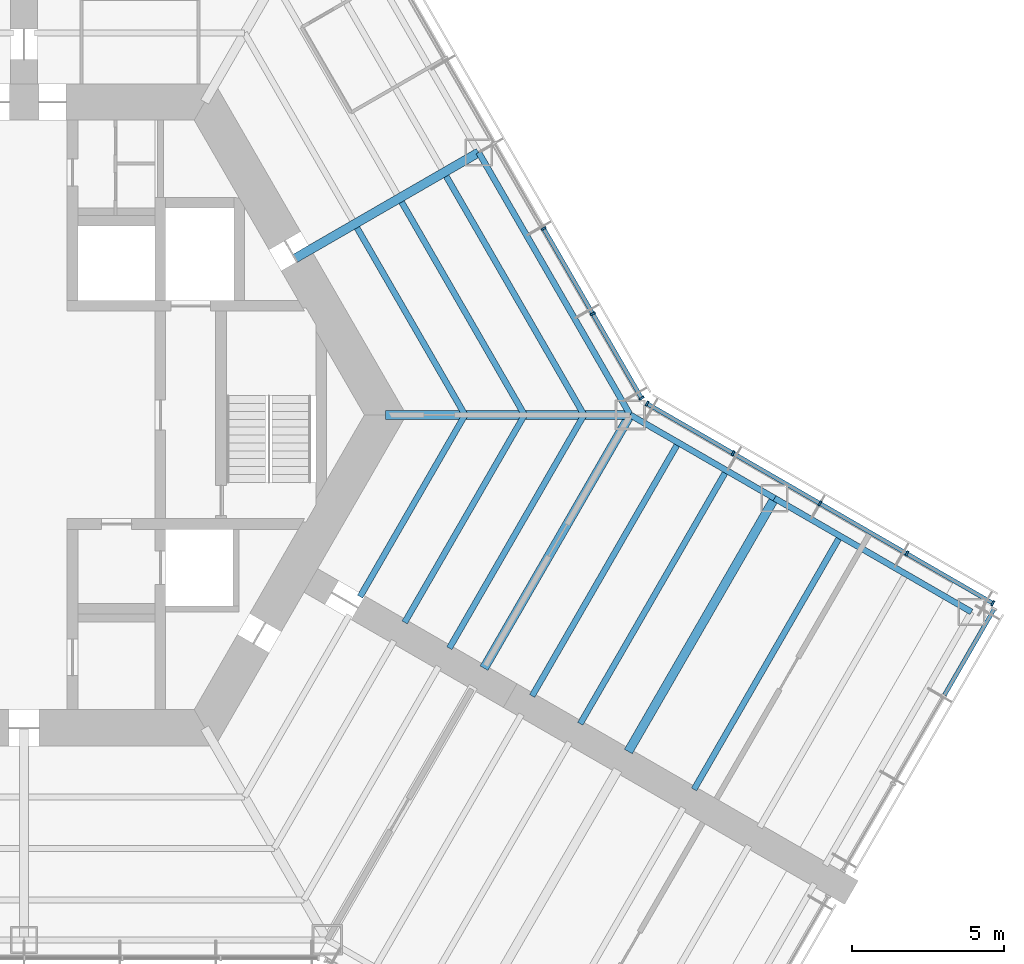
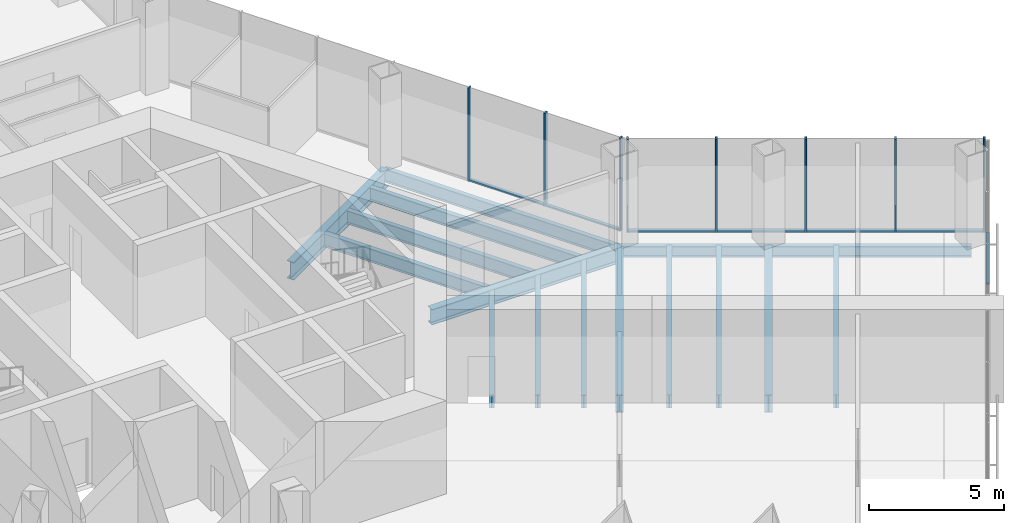
# One storey, part 5 of 16: 16 beams, 15 members, 3 elements without a shape of their own.
"""IFC4 building model written with IfcOpenShell, lengths in metres."""

import ifcopenshell
import ifcopenshell.guid

model = None  # the IFC model being written
_history = None  # IfcOwnerHistory: only IFC2X3 demands one
_inside = {}  # id of a spatial element -> (the spatial element, [elements in it])
_under = {}  # id of a project, library or spatial element -> (it, [spatial elements below it])
_declared = {}  # id of a project -> (the project, [libraries it declares])
_typed = {}  # id of a type object -> (the type object, [elements of that type])
_made_of = {}  # id of a material, layer set ... -> (it, [elements and type objects made of it])


def new_model(schema):
    """Start an empty IFC model of exactly this schema.

    Asked for "IFC4X3", IfcOpenShell would pick the latest addendum, in which some entities
    have other attributes; the version numbers below select the first issue.
    IFC2X3 requires an IfcOwnerHistory on every rooted entity: one is made here for all.
    """
    global model, _history
    if schema == "IFC4X3":
        model = ifcopenshell.file(schema_version=(4, 3, 0, 0))
    else:
        model = ifcopenshell.file(schema=schema)
    _inside.clear()
    _under.clear()
    _declared.clear()
    _typed.clear()
    _made_of.clear()
    _history = None
    if model.schema == "IFC2X3":
        org = make("IfcOrganization", Name="unknown")
        user = make(
            "IfcPersonAndOrganization",
            ThePerson=make("IfcPerson", FamilyName="unknown"),
            TheOrganization=org,
        )
        app = make(
            "IfcApplication",
            ApplicationDeveloper=org,
            Version="unknown",
            ApplicationFullName="unknown",
            ApplicationIdentifier="unknown",
        )
        _history = make(
            "IfcOwnerHistory",
            OwningUser=user,
            OwningApplication=app,
            ChangeAction="ADDED",
            CreationDate=0,
        )
    return model


def make(cls, **values):
    """One entity of the class cls with the attributes given. An attribute that is None is left unset."""
    return model.create_entity(
        cls, **{name: value for name, value in values.items() if value is not None}
    )


def rooted(cls, **values):
    """An entity with a GlobalId (a new one), such as an element, a storey or a relation."""
    return make(cls, GlobalId=ifcopenshell.guid.new(), OwnerHistory=_history, **values)


def si_unit(unit_type, name, prefix=None):
    """IfcSIUnit, for example si_unit("LENGTHUNIT", "METRE", prefix="MILLI")."""
    return make("IfcSIUnit", UnitType=unit_type, Prefix=prefix, Name=name)


def assignment(units):
    """IfcUnitAssignment: the units of a project."""
    return None if units is None else make("IfcUnitAssignment", Units=units)


def point(xyz):
    """IfcCartesianPoint."""
    return None if xyz is None else make("IfcCartesianPoint", Coordinates=xyz)


def direction(xyz):
    """IfcDirection."""
    return None if xyz is None else make("IfcDirection", DirectionRatios=xyz)


def frame(location, z_axis=None, x_axis=None):
    """IfcAxis2Placement3D, a coordinate frame: its origin and axes. An axis left out is left unset."""
    return make(
        "IfcAxis2Placement3D",
        Location=point(location),
        Axis=direction(z_axis),
        RefDirection=direction(x_axis),
    )


def frame_2d(location, x_axis=None):
    """IfcAxis2Placement2D, a coordinate frame in the plane: its origin and x axis."""
    return make(
        "IfcAxis2Placement2D", Location=point(location), RefDirection=direction(x_axis)
    )


def origin():
    """The frame at (0, 0, 0) with its axes left unset."""
    return frame((0.0, 0.0, 0.0))


def origin_2d():
    """The frame at (0, 0) in the plane with its x axis left unset."""
    return frame_2d((0.0, 0.0))


def place(relative_to, where):
    """IfcLocalPlacement: puts the frame where relative to a parent placement (None: the world)."""
    return make(
        "IfcLocalPlacement", PlacementRelTo=relative_to, RelativePlacement=where
    )


def context(
    kind, dimensions, precision=None, world=None, true_north=None, identifier=None
):
    """IfcGeometricRepresentationContext, for example the 3D "Model" context."""
    return make(
        "IfcGeometricRepresentationContext",
        ContextIdentifier=identifier,
        ContextType=kind,
        CoordinateSpaceDimension=dimensions,
        Precision=precision,
        WorldCoordinateSystem=world,
        TrueNorth=true_north,
    )


def subcontext(parent, identifier, kind, view, scale=None):
    """IfcGeometricRepresentationSubContext, for example "Body" below "Model"."""
    return make(
        "IfcGeometricRepresentationSubContext",
        ContextIdentifier=identifier,
        ContextType=kind,
        ParentContext=parent,
        TargetScale=scale,
        TargetView=view,
    )


def project(units=None, contexts=None):
    """IfcProject with its units and contexts."""
    return rooted(
        "IfcProject",
        Name="project",
        RepresentationContexts=contexts,
        UnitsInContext=assignment(units),
    )


def spatial(cls, under=None, at=None, **own):
    """A site, building, storey or space (cls), placed at a placement, below another one or the project."""
    s = rooted(cls, ObjectPlacement=at, **own)
    if under is not None:
        _under.setdefault(under.id(), (under, []))[1].append(s)
    return s


def profile(cls, at=None, kind="AREA", **sizes):
    """A parametric profile (cls). Its sizes go by their IFC names, for example OverallWidth=200.0."""
    return make(cls, ProfileType=kind, Position=at, **sizes)


def rectangle(**sizes):
    """IfcRectangleProfileDef."""
    return profile("IfcRectangleProfileDef", **sizes)


def i_section(**sizes):
    """IfcIShapeProfileDef."""
    return profile("IfcIShapeProfileDef", **sizes)


def extrude(swept, where, along, depth):
    """IfcExtrudedAreaSolid: the profile swept, set in the frame where, extruded along a direction by depth."""
    return make(
        "IfcExtrudedAreaSolid",
        SweptArea=swept,
        Position=where,
        ExtrudedDirection=direction(along),
        Depth=depth,
    )


def shape(context_of_items, identifier, shape_type, items):
    """IfcShapeRepresentation: the items that make up one representation, for example the "Body"."""
    return make(
        "IfcShapeRepresentation",
        ContextOfItems=context_of_items,
        RepresentationIdentifier=identifier,
        RepresentationType=shape_type,
        Items=items,
    )


def material(Name=None, Category=None):
    """IfcMaterial."""
    return make("IfcMaterial", Name=Name, Category=Category)


def material_profile(
    of_material, cross_section, Name=None, Category=None, Priority=None
):
    """IfcMaterialProfile: a cross section and its material."""
    return make(
        "IfcMaterialProfile",
        Name=Name,
        Material=of_material,
        Profile=cross_section,
        Priority=Priority,
        Category=Category,
    )


def profile_set(profiles, Name=None, composite=None):
    """IfcMaterialProfileSet."""
    return make(
        "IfcMaterialProfileSet",
        Name=Name,
        MaterialProfiles=profiles,
        CompositeProfile=composite,
    )


def made_of(thing, what):
    """Note that an element or type object is made of a material, layer set ...; save() writes the relation."""
    if what is not None:
        _made_of.setdefault(what.id(), (what, []))[1].append(thing)
    return thing


def type_object(cls, material=None, **own):
    """A type object (cls), such as IfcWallType, which elements share."""
    return made_of(rooted(cls, **own), material)


def element(
    cls,
    number,
    at=None,
    inside=None,
    cuts=None,
    type_object=None,
    material=None,
    context=None,
    identifier="Body",
    shape_type=None,
    held_by="IfcProductDefinitionShape",
    body=None,
    shapes=None,
    **own,
):
    """One element of the class cls, such as IfcWall. Its Tag is "e" and its number.

    at: its placement. inside: the storey or other place that contains it. cuts: it is an
    opening in that element (IfcRelVoidsElement). A single representation is given by context,
    identifier, shape_type and body (its items); several are given by shapes. held_by: the class
    of the entity that holds the representations. save() writes the other relations.
    """
    e = rooted(cls, Tag="e%d" % number, ObjectPlacement=at, **own)
    if body is not None:
        shapes = [shape(context, identifier, shape_type, body)]
    if shapes is not None:
        e.Representation = make(held_by, Representations=shapes)
    if inside is not None:
        _inside.setdefault(inside.id(), (inside, []))[1].append(e)
    if cuts is not None:
        rooted(
            "IfcRelVoidsElement", RelatingBuildingElement=cuts, RelatedOpeningElement=e
        )
    if type_object is not None:
        _typed.setdefault(type_object.id(), (type_object, []))[1].append(e)
    return made_of(e, material)


def aggregate(whole, parts):
    """IfcRelAggregates: a whole, such as a stair, and the parts it consists of."""
    return rooted("IfcRelAggregates", RelatingObject=whole, RelatedObjects=parts)


def save(model, path):
    """Write the relations noted so far, then the file.

    IfcRelAggregates (storeys below a building ...), IfcRelContainedInSpatialStructure (elements
    in a storey), IfcRelDefinesByType, IfcRelAssociatesMaterial and IfcRelDeclares: one each for
    every whole, place, type object, material and project.
    """
    for whole, parts in _under.values():
        aggregate(whole, parts)
    for where, things in _inside.values():
        rooted(
            "IfcRelContainedInSpatialStructure",
            RelatedElements=things,
            RelatingStructure=where,
        )
    for kind, things in _typed.values():
        rooted("IfcRelDefinesByType", RelatedObjects=things, RelatingType=kind)
    for what, things in _made_of.values():
        rooted("IfcRelAssociatesMaterial", RelatedObjects=things, RelatingMaterial=what)
    for by, libraries in _declared.values():
        rooted("IfcRelDeclares", RelatingContext=by, RelatedDefinitions=libraries)
    model.write(path)


model = new_model("IFC4")

# Units and contexts
model_context = context("Model", 3, precision=1e-05, world=origin(), true_north=direction((0.0, 1.0)))
body_context = subcontext(model_context, "Body", "Model", "MODEL_VIEW")
ifc_project = project(units=[si_unit("LENGTHUNIT", "METRE"), si_unit("AREAUNIT", "SQUARE_METRE"), si_unit("VOLUMEUNIT", "CUBIC_METRE"), si_unit("PLANEANGLEUNIT", "RADIAN"), si_unit("MASSUNIT", "GRAM", prefix="KILO")], contexts=[model_context])

# Site, building, storey
site_placement = place(None, origin())
site = spatial("IfcSite", under=ifc_project, at=site_placement, CompositionType="ELEMENT")
building_placement = place(site_placement, origin())
building = spatial("IfcBuilding", under=site, at=building_placement, Name="Kasaneha Research Tower", CompositionType="ELEMENT")
storey_placement = place(building_placement, frame((0.0, 0.0, 18.39990234375)))
storey = spatial("IfcBuildingStorey", under=building, at=storey_placement, Name="L05", CompositionType="ELEMENT", Elevation=18.39990234375)

# Beams
ifc_material_1 = material(Name="Steel SN490B", Category="steel")
ifc_material_profile_1 = material_profile(ifc_material_1, i_section(OverallWidth=0.199951171875, OverallDepth=0.60009765625, WebThickness=0.010986328125, FlangeThickness=0.01708984375, FilletRadius=0.012939453125, at=origin_2d()), Name="H-600x200x11x17")
ifc_profile_set_1 = profile_set([ifc_material_profile_1], Name="Steel SN490B")
beam_type_1 = type_object("IfcBeamType", Name="B1-1 secondary beam H-600x200x11x17", PredefinedType="JOIST", material=ifc_profile_set_1)
beam_1_placement = place(storey_placement, frame((14.54931640625, 0.0, -0.5), z_axis=(-0.500016104636, 0.866016105569, 0.0), x_axis=(-0.866016105569, -0.500016104636, 0.0)))
element("IfcBeam", 1, at=beam_1_placement, inside=storey, type_object=beam_type_1, Name="Secondary beam RS030L1 L05", PredefinedType="JOIST", context=body_context, shape_type="SweptSolid", body=[
    extrude(i_section(OverallWidth=0.199951171875, OverallDepth=0.60009765625, WebThickness=0.010986328125, FlangeThickness=0.01708984375, FilletRadius=0.012939453125, at=origin_2d()), origin(), (0.0, 0.0, 1.0), 7.124755859375),
])
beam_2_placement = place(storey_placement, frame((16.51220703125, 0.0, -0.5), z_axis=(-0.49999707157, 0.866027094508, 0.0), x_axis=(-0.866027094508, -0.49999707157, 0.0)))
element("IfcBeam", 2, at=beam_2_placement, inside=storey, type_object=beam_type_1, Name="Secondary beam RS030L2 L05", PredefinedType="JOIST", context=body_context, shape_type="SweptSolid", body=[
    extrude(i_section(OverallWidth=0.199951171875, OverallDepth=0.60009765625, WebThickness=0.010986328125, FlangeThickness=0.01708984375, FilletRadius=0.012939453125, at=origin_2d()), origin(), (0.0, 0.0, 1.0), 8.10595703125),
])
beam_3_placement = place(storey_placement, frame((18.47509765625, 0.0, -0.5), z_axis=(-0.499990665392, 0.866030793056, 0.0), x_axis=(-0.866030793056, -0.499990665392, 0.0)))
element("IfcBeam", 3, at=beam_3_placement, inside=storey, type_object=beam_type_1, Name="Secondary beam RS030L3 L05", PredefinedType="JOIST", context=body_context, shape_type="SweptSolid", body=[
    extrude(i_section(OverallWidth=0.199951171875, OverallDepth=0.60009765625, WebThickness=0.010986328125, FlangeThickness=0.01708984375, FilletRadius=0.012939453125, at=origin_2d()), origin(), (0.0, 0.0, 1.0), 9.087646484375),
])
beam_4_placement = place(storey_placement, frame((14.54931640625, 0.0, -0.5), z_axis=(-0.500014420154, -0.866017078145, 0.0), x_axis=(0.866017078145, -0.500014420154, 0.0)))
element("IfcBeam", 4, at=beam_4_placement, inside=storey, type_object=beam_type_1, Name="Secondary beam RS330R1 L05", PredefinedType="JOIST", context=body_context, shape_type="SweptSolid", body=[
    extrude(i_section(OverallWidth=0.199951171875, OverallDepth=0.60009765625, WebThickness=0.010986328125, FlangeThickness=0.01708984375, FilletRadius=0.012939453125, at=origin_2d()), origin(), (0.0, 0.0, 1.0), 6.924560546875),
])
beam_5_placement = place(storey_placement, frame((16.51220703125, 0.0, -0.5), z_axis=(-0.500004902938, -0.866022573054, 0.0), x_axis=(0.866022573054, -0.500004902938, 0.0)))
element("IfcBeam", 5, at=beam_5_placement, inside=storey, type_object=beam_type_1, Name="Secondary beam RS330R2 L05", PredefinedType="JOIST", context=body_context, shape_type="SweptSolid", body=[
    extrude(i_section(OverallWidth=0.199951171875, OverallDepth=0.60009765625, WebThickness=0.010986328125, FlangeThickness=0.01708984375, FilletRadius=0.012939453125, at=origin_2d()), origin(), (0.0, 0.0, 1.0), 7.90625),
])
beam_6_placement = place(storey_placement, frame((18.47509765625, 0.0, -0.5), z_axis=(-0.499988779951, -0.866031881586, 0.0), x_axis=(0.866031881586, -0.499988779951, 0.0)))
element("IfcBeam", 6, at=beam_6_placement, inside=storey, type_object=beam_type_1, Name="Secondary beam RS330R3 L05", PredefinedType="JOIST", context=body_context, shape_type="SweptSolid", body=[
    extrude(i_section(OverallWidth=0.199951171875, OverallDepth=0.60009765625, WebThickness=0.010986328125, FlangeThickness=0.01708984375, FilletRadius=0.012939453125, at=origin_2d()), origin(), (0.0, 0.0, 1.0), 8.887451171875),
])
ifc_material_2 = material(Name="Steel SN490B", Category="steel")
ifc_material_profile_2 = material_profile(ifc_material_2, i_section(OverallWidth=0.198974609375, OverallDepth=0.595947265625, WebThickness=0.010009765625, FlangeThickness=0.014892578125, FilletRadius=0.012939453125, at=origin_2d()), Name="H-596x199x10x15")
ifc_profile_set_2 = profile_set([ifc_material_profile_2], Name="Steel SN490B")
beam_type_2 = type_object("IfcBeamType", Name="B2-1 secondary beam H-596x199x10x15", PredefinedType="JOIST", material=ifc_profile_set_2)
beam_7_placement = place(storey_placement, frame((21.587646484375, -0.916748046875, -0.497802734375), z_axis=(-0.499994742786, -0.866028439017, 0.0), x_axis=(0.866028439017, -0.499994742786, 0.0)))
element("IfcBeam", 7, at=beam_7_placement, inside=storey, type_object=beam_type_2, Name="Secondary beam WBCN1 L05", PredefinedType="JOIST", context=body_context, shape_type="SweptSolid", body=[
    extrude(i_section(OverallWidth=0.198974609375, OverallDepth=0.595947265625, WebThickness=0.010009765625, FlangeThickness=0.014892578125, FilletRadius=0.012939453125, at=origin_2d()), origin(), (0.0, 0.0, 1.0), 9.64990234375),
])
beam_8_placement = place(storey_placement, frame((23.175537109375, -1.833251953125, -0.497802734375), z_axis=(-0.500013717211, -0.866017484004, 0.0), x_axis=(0.866017484004, -0.500013717211, 0.0)))
element("IfcBeam", 8, at=beam_8_placement, inside=storey, type_object=beam_type_2, Name="Secondary beam WBCN2 L05", PredefinedType="JOIST", context=body_context, shape_type="SweptSolid", body=[
    extrude(i_section(OverallWidth=0.198974609375, OverallDepth=0.595947265625, WebThickness=0.010009765625, FlangeThickness=0.014892578125, FilletRadius=0.012939453125, at=origin_2d()), origin(), (0.0, 0.0, 1.0), 9.650146484375),
])
beam_9_placement = place(storey_placement, frame((26.92822265625, -4.0, -0.497802734375), z_axis=(-0.499994742786, -0.866028439017, 0.0), x_axis=(0.866028439017, -0.499994742786, 0.0)))
element("IfcBeam", 9, at=beam_9_placement, inside=storey, type_object=beam_type_2, Name="Secondary beam WBCN3 L05", PredefinedType="JOIST", context=body_context, shape_type="SweptSolid", body=[
    extrude(i_section(OverallWidth=0.198974609375, OverallDepth=0.595947265625, WebThickness=0.010009765625, FlangeThickness=0.014892578125, FilletRadius=0.012939453125, at=origin_2d()), origin(), (0.0, 0.0, 1.0), 9.64990234375),
])

# Curtain wall, members
ifc_material_3 = material(Name="Glass and aluminium", Category="aluminium")
curtain_wall_type = type_object("IfcCurtainWallType", Name="Wet laboratory curtain wall", PredefinedType="USERDEFINED", material=ifc_material_3)
curtain_wall_1_placement = place(storey_placement, origin())
curtain_wall_1 = element("IfcCurtainWall", 10, at=curtain_wall_1_placement, inside=storey, type_object=curtain_wall_type, Name="CW-L1 L05 run 06a", ObjectType="UNITISED CURTAIN WALL", PredefinedType="USERDEFINED")
ifc_material_4 = material(Name="Aluminium 6063-T6", Category="aluminium")
ifc_material_profile_3 = material_profile(ifc_material_4, rectangle(XDim=0.06494140625, YDim=0.179931640625, at=origin_2d()), Name="CW-L1 mullion 65x180")
ifc_profile_set_3 = profile_set([ifc_material_profile_3], Name="Aluminium 6063-T6")
member_type_1 = type_object("IfcMemberType", Name="CW-L1 mullion", PredefinedType="MULLION", material=ifc_profile_set_3)
member_1_placement = place(storey_placement, frame((31.963134765625, -6.214111328125, 0.0), z_axis=(0.0, 0.0, 1.0), x_axis=(-0.866025411464, 0.499999986699, 0.0)))
member_1 = element("IfcMember", 11, at=member_1_placement, type_object=member_type_1, Name="CW-L1 mullion 1", PredefinedType="MULLION", context=body_context, shape_type="SweptSolid", body=[
    extrude(rectangle(XDim=0.06494140625, YDim=0.179931640625, at=origin_2d()), origin(), (0.0, 0.0, 1.0), 4.2001953125),
])
member_2_placement = place(storey_placement, frame((29.125, -4.575439453125, 0.0), z_axis=(0.0, 0.0, 1.0), x_axis=(-0.866025411464, 0.499999986699, 0.0)))
member_2 = element("IfcMember", 12, at=member_2_placement, type_object=member_type_1, Name="CW-L1 mullion 2", PredefinedType="MULLION", context=body_context, shape_type="SweptSolid", body=[
    extrude(rectangle(XDim=0.06494140625, YDim=0.179931640625, at=origin_2d()), origin(), (0.0, 0.0, 1.0), 4.2001953125),
])
member_3_placement = place(storey_placement, frame((26.258544921875, -2.920654296875, 0.0), z_axis=(0.0, 0.0, 1.0), x_axis=(-0.866025411464, 0.499999986699, 0.0)))
member_3 = element("IfcMember", 13, at=member_3_placement, type_object=member_type_1, Name="CW-L1 mullion 3", PredefinedType="MULLION", context=body_context, shape_type="SweptSolid", body=[
    extrude(rectangle(XDim=0.06494140625, YDim=0.179931640625, at=origin_2d()), origin(), (0.0, 0.0, 1.0), 4.2001953125),
])
member_4_placement = place(storey_placement, frame((23.39208984375, -1.265625, 0.0), z_axis=(0.0, 0.0, 1.0), x_axis=(-0.866025411464, 0.499999986699, 0.0)))
member_4 = element("IfcMember", 14, at=member_4_placement, type_object=member_type_1, Name="CW-L1 mullion 4", PredefinedType="MULLION", context=body_context, shape_type="SweptSolid", body=[
    extrude(rectangle(XDim=0.06494140625, YDim=0.179931640625, at=origin_2d()), origin(), (0.0, 0.0, 1.0), 4.2001953125),
])
member_5_placement = place(storey_placement, frame((20.553955078125, 0.373046875, 0.0), z_axis=(0.0, 0.0, 1.0), x_axis=(-0.866025411464, 0.499999986699, 0.0)))
member_5 = element("IfcMember", 15, at=member_5_placement, type_object=member_type_1, Name="CW-L1 mullion 5", PredefinedType="MULLION", context=body_context, shape_type="SweptSolid", body=[
    extrude(rectangle(XDim=0.06494140625, YDim=0.179931640625, at=origin_2d()), origin(), (0.0, 0.0, 1.0), 4.2001953125),
])

curtain_wall_2_placement = place(storey_placement, origin())
curtain_wall_2 = element("IfcCurtainWall", 16, at=curtain_wall_2_placement, inside=storey, type_object=curtain_wall_type, Name="CW-L1 L05 run 07a", ObjectType="UNITISED CURTAIN WALL", PredefinedType="USERDEFINED")
member_6_placement = place(storey_placement, frame((20.373046875, 0.553955078125, 0.0), z_axis=(0.0, 0.0, 1.0), x_axis=(-0.49999996188, 0.866025425793, 0.0)))
member_6 = element("IfcMember", 17, at=member_6_placement, type_object=member_type_1, Name="CW-L1 mullion 1", PredefinedType="MULLION", context=body_context, shape_type="SweptSolid", body=[
    extrude(rectangle(XDim=0.06494140625, YDim=0.179931640625, at=origin_2d()), origin(), (0.0, 0.0, 1.0), 4.2001953125),
])
member_7_placement = place(storey_placement, frame((18.76611328125, 3.33740234375, 0.0), z_axis=(0.0, 0.0, 1.0), x_axis=(-0.49999996188, 0.866025425793, 0.0)))
member_7 = element("IfcMember", 18, at=member_7_placement, type_object=member_type_1, Name="CW-L1 mullion 2", PredefinedType="MULLION", context=body_context, shape_type="SweptSolid", body=[
    extrude(rectangle(XDim=0.06494140625, YDim=0.179931640625, at=origin_2d()), origin(), (0.0, 0.0, 1.0), 4.2001953125),
])
member_8_placement = place(storey_placement, frame((17.142822265625, 6.148681640625, 0.0), z_axis=(0.0, 0.0, 1.0), x_axis=(-0.49999996188, 0.866025425793, 0.0)))
member_8 = element("IfcMember", 19, at=member_8_placement, type_object=member_type_1, Name="CW-L1 mullion 3", PredefinedType="MULLION", context=body_context, shape_type="SweptSolid", body=[
    extrude(rectangle(XDim=0.06494140625, YDim=0.179931640625, at=origin_2d()), origin(), (0.0, 0.0, 1.0), 4.2001953125),
])

# Curtain wall, member
curtain_wall_3_placement = place(storey_placement, origin())
curtain_wall_3 = element("IfcCurtainWall", 20, at=curtain_wall_3_placement, inside=storey, type_object=curtain_wall_type, Name="CW-L1 L05 run 05a", ObjectType="UNITISED CURTAIN WALL", PredefinedType="USERDEFINED")
ifc_material_5 = material(Name="Aluminium 6063-T6", Category="aluminium")
ifc_material_profile_4 = material_profile(ifc_material_5, rectangle(XDim=0.139892578125, YDim=0.06494140625, at=origin_2d()), Name="CW-L1 transom 140x65")
ifc_profile_set_4 = profile_set([ifc_material_profile_4], Name="Aluminium 6063-T6")
member_type_2 = type_object("IfcMemberType", Name="CW-L1 transom", PredefinedType="USERDEFINED", material=ifc_profile_set_4)
member_9_placement = place(storey_placement, frame((30.369140625, -9.239990234375, 0.03271484375), z_axis=(0.500006189695, 0.866021830133, 0.0), x_axis=(-0.866021830133, 0.500006189695, 0.0)))
member_9 = element("IfcMember", 21, at=member_9_placement, type_object=member_type_2, Name="CW-L1 transom 3", ObjectType="TRANSOM", PredefinedType="USERDEFINED", context=body_context, shape_type="SweptSolid", body=[
    extrude(rectangle(XDim=0.139892578125, YDim=0.06494140625, at=origin_2d()), origin(), (0.0, 0.0, 1.0), 3.25244140625),
])
aggregate(curtain_wall_3, [member_9])

# Member
member_10_placement = place(storey_placement, frame((31.93505859375, -6.197998046875, 0.03271484375), z_axis=(-0.866022320763, 0.500005339912, 0.0), x_axis=(-0.500005339912, -0.866022320763, 0.0)))
member_10 = element("IfcMember", 22, at=member_10_placement, type_object=member_type_2, Name="CW-L1 transom 1", ObjectType="TRANSOM", PredefinedType="USERDEFINED", context=body_context, shape_type="SweptSolid", body=[
    extrude(rectangle(XDim=0.139892578125, YDim=0.06494140625, at=origin_2d()), origin(), (0.0, 0.0, 1.0), 3.21240234375),
])

member_11_placement = place(storey_placement, frame((29.096923828125, -4.559326171875, 0.03271484375), z_axis=(-0.866021460221, 0.500006830391, 0.0), x_axis=(-0.500006830391, -0.866021460221, 0.0)))
member_11 = element("IfcMember", 23, at=member_11_placement, type_object=member_type_2, Name="CW-L1 transom 2", ObjectType="TRANSOM", PredefinedType="USERDEFINED", context=body_context, shape_type="SweptSolid", body=[
    extrude(rectangle(XDim=0.139892578125, YDim=0.06494140625, at=origin_2d()), origin(), (0.0, 0.0, 1.0), 3.2451171875),
])

member_12_placement = place(storey_placement, frame((26.23046875, -2.904296875, 0.03271484375), z_axis=(-0.866035229914, 0.499982980259, 0.0), x_axis=(-0.499982980259, -0.866035229914, 0.0)))
member_12 = element("IfcMember", 24, at=member_12_placement, type_object=member_type_2, Name="CW-L1 transom 3", ObjectType="TRANSOM", PredefinedType="USERDEFINED", context=body_context, shape_type="SweptSolid", body=[
    extrude(rectangle(XDim=0.139892578125, YDim=0.06494140625, at=origin_2d()), origin(), (0.0, 0.0, 1.0), 3.24462890625),
])

member_13_placement = place(storey_placement, frame((23.364013671875, -1.24951171875, 0.03271484375), z_axis=(-0.866022320763, 0.500005339912, 0.0), x_axis=(-0.500005339912, -0.866022320763, 0.0)))
member_13 = element("IfcMember", 25, at=member_13_placement, type_object=member_type_2, Name="CW-L1 transom 4", ObjectType="TRANSOM", PredefinedType="USERDEFINED", context=body_context, shape_type="SweptSolid", body=[
    extrude(rectangle(XDim=0.139892578125, YDim=0.06494140625, at=origin_2d()), origin(), (0.0, 0.0, 1.0), 3.21240234375),
])

aggregate(curtain_wall_1, [member_1, member_2, member_3, member_4, member_5, member_10, member_11, member_12, member_13])

member_14_placement = place(storey_placement, frame((20.356689453125, 0.58203125, 0.03271484375), z_axis=(-0.49999985423, 0.866025487945, 0.0), x_axis=(-0.866025487945, -0.49999985423, 0.0)))
member_14 = element("IfcMember", 26, at=member_14_placement, type_object=member_type_2, Name="CW-L1 transom 1", ObjectType="TRANSOM", PredefinedType="USERDEFINED", context=body_context, shape_type="SweptSolid", body=[
    extrude(rectangle(XDim=0.139892578125, YDim=0.06494140625, at=origin_2d()), origin(), (0.0, 0.0, 1.0), 3.14892578125),
])

member_15_placement = place(storey_placement, frame((18.749755859375, 3.365478515625, 0.03271484375), z_axis=(-0.499977104415, 0.866038622153, 0.0), x_axis=(-0.866038622153, -0.499977104415, 0.0)))
member_15 = element("IfcMember", 27, at=member_15_placement, type_object=member_type_2, Name="CW-L1 transom 2", ObjectType="TRANSOM", PredefinedType="USERDEFINED", context=body_context, shape_type="SweptSolid", body=[
    extrude(rectangle(XDim=0.139892578125, YDim=0.06494140625, at=origin_2d()), origin(), (0.0, 0.0, 1.0), 3.181396484375),
])

aggregate(curtain_wall_2, [member_6, member_7, member_8, member_14, member_15])

# Beams
ifc_material_6 = material(Name="Steel SN490B", Category="steel")
ifc_material_profile_5 = material_profile(ifc_material_6, i_section(OverallWidth=0.300048828125, OverallDepth=0.699951171875, WebThickness=0.012939453125, FlangeThickness=0.02392578125, FilletRadius=0.01806640625, at=origin_2d()), Name="H-700x300x13x24")
ifc_profile_set_5 = profile_set([ifc_material_profile_5], Name="Steel SN490B")
beam_type_3 = type_object("IfcBeamType", Name="G1-1 radial girder H-700x300x13x24", PredefinedType="BEAM", material=ifc_profile_set_5)
beam_10_placement = place(storey_placement, frame((11.92236328125, 0.0, -0.5498046875), z_axis=(1.0, 0.0, 0.0), x_axis=(0.0, 1.0, 0.0)))
element("IfcBeam", 28, at=beam_10_placement, inside=storey, type_object=beam_type_3, Name="Radial girder RV000 L05", PredefinedType="BEAM", context=body_context, shape_type="SweptSolid", body=[
    extrude(i_section(OverallWidth=0.300048828125, OverallDepth=0.699951171875, WebThickness=0.012939453125, FlangeThickness=0.02392578125, FilletRadius=0.01806640625, at=origin_2d()), origin(), (0.0, 0.0, 1.0), 8.07763671875),
])
ifc_material_7 = material(Name="Steel SN490B", Category="steel")
ifc_material_profile_6 = material_profile(ifc_material_7, i_section(OverallWidth=0.300048828125, OverallDepth=0.800048828125, WebThickness=0.013916015625, FlangeThickness=0.02587890625, FilletRadius=0.01806640625, at=origin_2d()), Name="H-800x300x14x26")
ifc_profile_set_6 = profile_set([ifc_material_profile_6], Name="Steel SN490B")
beam_type_4 = type_object("IfcBeamType", Name="G2-1 radial girder H-800x300x14x26", PredefinedType="BEAM", material=ifc_profile_set_6)
beam_11_placement = place(storey_placement, frame((8.941650390625, 5.16259765625, -0.599853515625), z_axis=(0.866039713508, 0.499975214012, 0.0), x_axis=(-0.499975214012, 0.866039713508, 0.0)))
element("IfcBeam", 29, at=beam_11_placement, inside=storey, type_object=beam_type_4, Name="Radial girder RM030 L05", PredefinedType="BEAM", context=body_context, shape_type="SweptSolid", body=[
    extrude(i_section(OverallWidth=0.300048828125, OverallDepth=0.800048828125, WebThickness=0.013916015625, FlangeThickness=0.02587890625, FilletRadius=0.01806640625, at=origin_2d()), origin(), (0.0, 0.0, 1.0), 6.995361328125),
])
ifc_material_8 = material(Name="Steel SN490B", Category="steel")
ifc_material_profile_7 = material_profile(ifc_material_8, i_section(OverallWidth=0.300048828125, OverallDepth=0.7919921875, WebThickness=0.013916015625, FlangeThickness=0.02197265625, FilletRadius=0.01806640625, at=origin_2d()), Name="H-792x300x14x22")
ifc_profile_set_7 = profile_set([ifc_material_profile_7], Name="Steel SN490B")
beam_type_5 = type_object("IfcBeamType", Name="G3-1 plate edge girder H-792x300x14x22", PredefinedType="BEAM", material=ifc_profile_set_7)
beam_12_placement = place(storey_placement, frame((20.0, 0.0, -0.595947265625), z_axis=(-0.499994742786, -0.866028439017, 0.0), x_axis=(0.866028439017, -0.499994742786, 0.0)))
element("IfcBeam", 30, at=beam_12_placement, inside=storey, type_object=beam_type_5, Name="Plate edge girder PECN L05", PredefinedType="BEAM", context=body_context, shape_type="SweptSolid", body=[
    extrude(i_section(OverallWidth=0.300048828125, OverallDepth=0.7919921875, WebThickness=0.013916015625, FlangeThickness=0.02197265625, FilletRadius=0.01806640625, at=origin_2d()), origin(), (0.0, 0.0, 1.0), 9.64990234375),
])
ifc_material_9 = material(Name="Steel SN490B", Category="steel")
ifc_material_profile_8 = material_profile(ifc_material_9, i_section(OverallWidth=0.300048828125, OverallDepth=0.800048828125, WebThickness=0.013916015625, FlangeThickness=0.02587890625, FilletRadius=0.01806640625, at=origin_2d()), Name="H-800x300x14x26")
ifc_profile_set_8 = profile_set([ifc_material_profile_8], Name="Steel SN490B")
beam_type_6 = type_object("IfcBeamType", Name="G4-1 wing girder H-800x300x14x26", PredefinedType="BEAM", material=ifc_profile_set_8)
beam_13_placement = place(storey_placement, frame((24.76318359375, -2.75, -0.599853515625), z_axis=(-0.499994742786, -0.866028439017, 0.0), x_axis=(0.866028439017, -0.499994742786, 0.0)))
element("IfcBeam", 31, at=beam_13_placement, inside=storey, type_object=beam_type_6, Name="Wing girder WGCN L05", PredefinedType="BEAM", context=body_context, shape_type="SweptSolid", body=[
    extrude(i_section(OverallWidth=0.300048828125, OverallDepth=0.800048828125, WebThickness=0.013916015625, FlangeThickness=0.02587890625, FilletRadius=0.01806640625, at=origin_2d()), origin(), (0.0, 0.0, 1.0), 9.64990234375),
])
ifc_material_10 = material(Name="Steel SN490B", Category="steel")
ifc_material_profile_9 = material_profile(ifc_material_10, i_section(OverallWidth=0.199951171875, OverallDepth=0.60009765625, WebThickness=0.010986328125, FlangeThickness=0.01708984375, FilletRadius=0.012939453125, at=origin_2d()), Name="H-600x200x11x17")
ifc_profile_set_9 = profile_set([ifc_material_profile_9], Name="Steel SN490B")
beam_type_7 = type_object("IfcBeamType", Name="SB1-1 spandrel beam H-600x200x11x17", PredefinedType="SPANDREL", material=ifc_profile_set_9)
beam_14_placement = place(storey_placement, frame((20.0, 0.0, -0.5), z_axis=(-0.500004234368, 0.866022959057, 0.0), x_axis=(-0.866022959057, -0.500004234368, 0.0)))
element("IfcBeam", 32, at=beam_14_placement, inside=storey, type_object=beam_type_7, Name="Spandrel beam SR030L L05", PredefinedType="SPANDREL", context=body_context, shape_type="SweptSolid", body=[
    extrude(i_section(OverallWidth=0.199951171875, OverallDepth=0.60009765625, WebThickness=0.010986328125, FlangeThickness=0.01708984375, FilletRadius=0.012939453125, at=origin_2d()), origin(), (0.0, 0.0, 1.0), 10.0),
])
ifc_material_11 = material(Name="Steel SN490B", Category="steel")
ifc_material_profile_10 = material_profile(ifc_material_11, i_section(OverallWidth=0.199951171875, OverallDepth=0.5, WebThickness=0.010009765625, FlangeThickness=0.01611328125, FilletRadius=0.012939453125, at=origin_2d()), Name="H-500x200x10x16")
ifc_profile_set_10 = profile_set([ifc_material_profile_10], Name="Steel SN490B")
beam_type_8 = type_object("IfcBeamType", Name="SB2-1 spandrel beam H-500x200x10x16", PredefinedType="SPANDREL", material=ifc_profile_set_10)
beam_15_placement = place(storey_placement, frame((20.0, 0.0, -0.449951171875), z_axis=(0.866027397988, -0.499996545922, 0.0), x_axis=(0.499996545922, 0.866027397988, 0.0)))
element("IfcBeam", 33, at=beam_15_placement, inside=storey, type_object=beam_type_8, Name="Spandrel beam WSCN1 L05", PredefinedType="SPANDREL", context=body_context, shape_type="SweptSolid", body=[
    extrude(i_section(OverallWidth=0.199951171875, OverallDepth=0.5, WebThickness=0.010009765625, FlangeThickness=0.01611328125, FilletRadius=0.012939453125, at=origin_2d()), origin(), (0.0, 0.0, 1.0), 5.5),
])
beam_16_placement = place(storey_placement, frame((24.76318359375, -2.75, -0.449951171875), z_axis=(0.866022959057, -0.500004234368, 0.0), x_axis=(0.500004234368, 0.866022959057, 0.0)))
element("IfcBeam", 34, at=beam_16_placement, inside=storey, type_object=beam_type_8, Name="Spandrel beam WSCN2 L05", PredefinedType="SPANDREL", context=body_context, shape_type="SweptSolid", body=[
    extrude(i_section(OverallWidth=0.199951171875, OverallDepth=0.5, WebThickness=0.010009765625, FlangeThickness=0.01611328125, FilletRadius=0.012939453125, at=origin_2d()), origin(), (0.0, 0.0, 1.0), 7.5),
])

save(model, "model.ifc")
